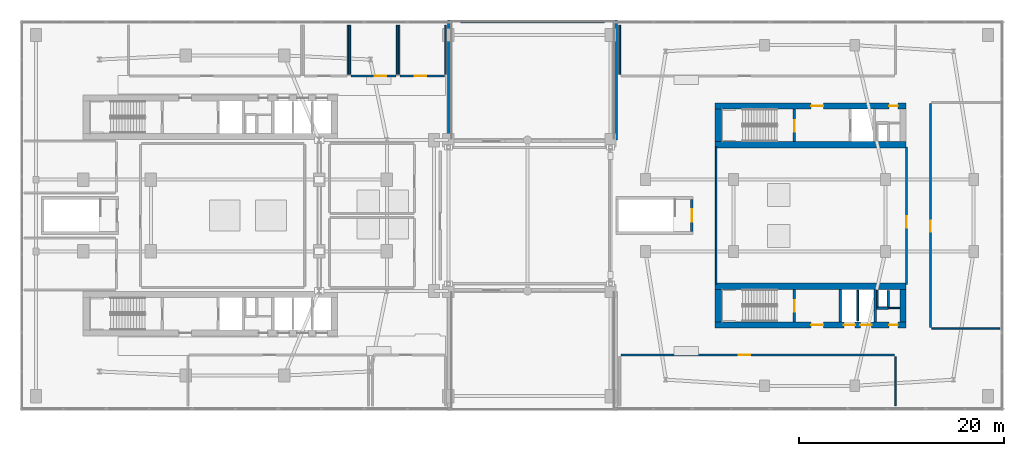
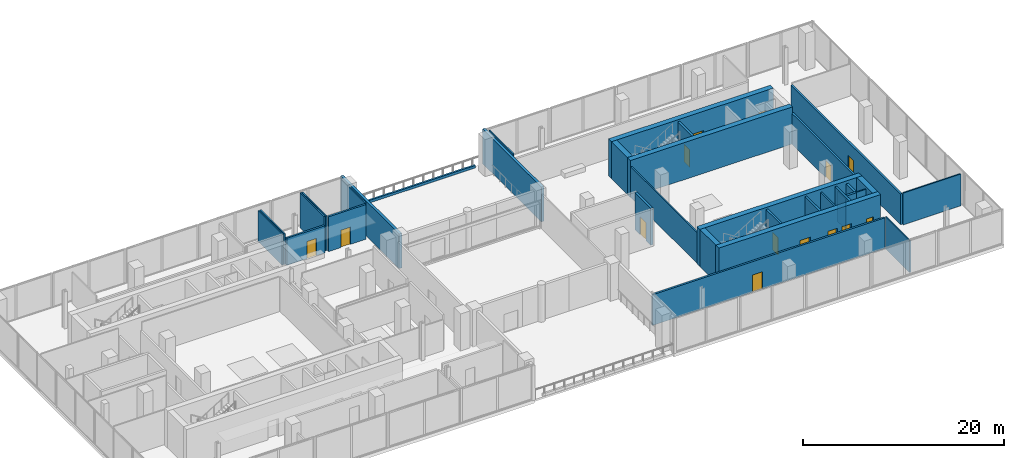
# One storey, part 16 of 21: 34 walls, 14 doors, 14 openings.
"""IFC4 building model written with IfcOpenShell, lengths in metres."""

from ifc_helpers import new_model, si_unit, derived_unit, direction, frame, frame_2d, origin, place, context, subcontext, project, spatial, rectangle, extrude, material, layer, layer_set, type_object, element, fill, save


model = new_model("IFC4")

# Units and contexts
model_context = context("Model", 3, precision=1e-05, world=origin(), true_north=direction((0.0, 1.0)))
body_context = subcontext(model_context, "Body", "Model", "MODEL_VIEW")
ifc_project = project(units=[si_unit("LENGTHUNIT", "METRE"), si_unit("AREAUNIT", "SQUARE_METRE"), si_unit("VOLUMEUNIT", "CUBIC_METRE"), si_unit("PLANEANGLEUNIT", "RADIAN"), si_unit("MASSUNIT", "GRAM", prefix="KILO"), derived_unit("THERMALTRANSMITTANCEUNIT", [(si_unit("POWERUNIT", "WATT"), 1), (si_unit("LENGTHUNIT", "METRE"), -2), (si_unit("THERMODYNAMICTEMPERATUREUNIT", "KELVIN"), -1)])], contexts=[model_context])

# Site, building, storey
site_placement = place(None, origin())
site = spatial("IfcSite", under=ifc_project, at=site_placement, CompositionType="ELEMENT")
building_placement = place(site_placement, origin())
building = spatial("IfcBuilding", under=site, at=building_placement, Name="Kivonza Crest Hotel", CompositionType="ELEMENT")
storey_placement = place(building_placement, frame((0.0, 0.0, 19.5)))
storey = spatial("IfcBuildingStorey", under=building, at=storey_placement, Name="L04", CompositionType="ELEMENT", Elevation=19.5)

# Wall, opening, door
ifc_material_1 = material(Name="Autoclaved aerated concrete blockwork", Category="masonry")
ifc_layer_1 = layer(ifc_material_1, 0.219970703125)
ifc_layer_set_1 = layer_set([ifc_layer_1], Name="Autoclaved aerated concrete blockwork")
wall_type_1 = type_object("IfcWallType", Name="WL-ACOU-220", PredefinedType="SOLIDWALL", material=ifc_layer_set_1)
wall_1_placement = place(storey_placement, frame((58.60009765625, 11.39990234375, 0.0), z_axis=(0.0, 0.0, 1.0), x_axis=(1.0, 0.0, 0.0)))
wall_1 = element("IfcWall", 1, at=wall_1_placement, inside=storey, type_object=wall_type_1, Name="L04 interior partition WA-L04-S-FIT-N", PredefinedType="SOLIDWALL", context=body_context, shape_type="SweptSolid", body=[
    extrude(rectangle(XDim=26.699951171875, YDim=0.219970703125, at=frame_2d((13.35009765625, 0.0))), origin(), (0.0, 0.0, 1.0), 3.72509765625),
])
opening_1_placement = place(wall_1_placement, frame((11.510009765625, 0.0, 0.0)))
opening_1 = element("IfcOpeningElement", 2, at=opening_1_placement, cuts=wall_1, Name="Opening DF-60M", PredefinedType="OPENING", context=body_context, shape_type="SweptSolid", body=[
    extrude(rectangle(XDim=1.10009765625, YDim=2.10009765625, at=frame_2d((0.550048828125, 1.050048828125))), frame((0.0, 0.1201171875, 0.0), z_axis=(0.0, -1.0, 0.0), x_axis=(1.0, 0.0, 0.0)), (0.0, 0.0, 1.0), 0.239990234375),
])
ifc_material_2 = material(Name="Hardwood timber oak", Category="wood")
door_type_1 = type_object("IfcDoorType", Name="DR-FD60-1100", OperationType="NOTDEFINED", PredefinedType="DOOR", material=ifc_material_2)
door_1_placement = place(opening_1_placement, frame((1.10009765625, 0.0, 0.0), z_axis=(0.0, 0.0, 1.0), x_axis=(-1.0, 0.0, 0.0)))
door_1 = element("IfcDoor", 3, at=door_1_placement, inside=storey, type_object=door_type_1, Name="L04 Companion South Wellness Studio door", OperationType="SINGLE_SWING_RIGHT", OverallHeight=2.10009765625, OverallWidth=1.10009765625, PredefinedType="DOOR", context=body_context, shape_type="SweptSolid", body=[
    extrude(rectangle(XDim=1.10009765625, YDim=2.10009765625, at=frame_2d((0.550048828125, 1.050048828125))), frame((0.0, 0.02490234375, 0.0), z_axis=(0.0, -1.0, 0.0), x_axis=(1.0, 0.0, 0.0)), (0.0, 0.0, 1.0), 0.050048828125),
])
fill(opening_1, door_1)

wall_2_placement = place(storey_placement, frame((86.449951171875, 18.300048828125, 0.0), z_axis=(0.0, 0.0, 1.0), x_axis=(0.0, 1.0, 0.0)))
wall_2 = element("IfcWall", 4, at=wall_2_placement, inside=storey, type_object=wall_type_1, Name="L04 interior partition WA-L04-RES-FIT-E", PredefinedType="SOLIDWALL", context=body_context, shape_type="SweptSolid", body=[
    extrude(rectangle(XDim=13.39990234375, YDim=0.219970703125, at=frame_2d((6.699951171875, 0.0))), origin(), (0.0, 0.0, 1.0), 3.72509765625),
])
opening_2_placement = place(wall_2_placement, frame((5.52490234375, 0.0, 0.0)))
opening_2 = element("IfcOpeningElement", 5, at=opening_2_placement, cuts=wall_2, Name="Opening DF-60M", PredefinedType="OPENING", context=body_context, shape_type="SweptSolid", body=[
    extrude(rectangle(XDim=1.10009765625, YDim=2.10009765625, at=frame_2d((0.550048828125, 1.050048828125))), frame((0.0, 0.1201171875, 0.0), z_axis=(0.0, -1.0, 0.0), x_axis=(1.0, 0.0, 0.0)), (0.0, 0.0, 1.0), 0.239990234375),
])
door_2_placement = place(opening_2_placement, origin())
door_2 = element("IfcDoor", 6, at=door_2_placement, inside=storey, type_object=door_type_1, Name="L04 Companion Fitness and Yoga Studio door", OperationType="SINGLE_SWING_LEFT", OverallHeight=2.10009765625, OverallWidth=1.10009765625, PredefinedType="DOOR", context=body_context, shape_type="SweptSolid", body=[
    extrude(rectangle(XDim=1.10009765625, YDim=2.10009765625, at=frame_2d((0.550048828125, 1.050048828125))), frame((0.0, 0.02490234375, 0.0), z_axis=(0.0, -1.0, 0.0), x_axis=(1.0, 0.0, 0.0)), (0.0, 0.0, 1.0), 0.050048828125),
])
fill(opening_2, door_2)

wall_3_placement = place(storey_placement, frame((32.300048828125, 38.60009765625, 0.0), z_axis=(0.0, 0.0, 1.0), x_axis=(1.0, 0.0, 0.0)))
wall_3 = element("IfcWall", 7, at=wall_3_placement, inside=storey, type_object=wall_type_1, Name="L04 interior partition WA-L04-MWC-S", PredefinedType="SOLIDWALL", context=body_context, shape_type="SweptSolid", body=[
    extrude(rectangle(XDim=4.39990234375, YDim=0.219970703125, at=frame_2d((2.199951171875, 0.0))), origin(), (0.0, 0.0, 1.0), 3.294921875),
])
opening_3_placement = place(wall_3_placement, frame((2.324951171875, 0.0, 0.0)))
opening_3 = element("IfcOpeningElement", 8, at=opening_3_placement, cuts=wall_3, Name="Opening DF-60M", PredefinedType="OPENING", context=body_context, shape_type="SweptSolid", body=[
    extrude(rectangle(XDim=1.10009765625, YDim=2.10009765625, at=frame_2d((0.550048828125, 1.050048828125))), frame((0.0, 0.1201171875, 0.0), z_axis=(0.0, -1.0, 0.0), x_axis=(1.0, 0.0, 0.0)), (0.0, 0.0, 1.0), 0.239990234375),
])
door_3_placement = place(opening_3_placement, origin())
door_3 = element("IfcDoor", 9, at=door_3_placement, inside=storey, type_object=door_type_1, Name="L04 L04 Male Changing and WC door", OperationType="SINGLE_SWING_LEFT", OverallHeight=2.10009765625, OverallWidth=1.10009765625, PredefinedType="DOOR", context=body_context, shape_type="SweptSolid", body=[
    extrude(rectangle(XDim=1.10009765625, YDim=2.10009765625, at=frame_2d((0.550048828125, 1.050048828125))), frame((0.0, 0.02490234375, 0.0), z_axis=(0.0, -1.0, 0.0), x_axis=(1.0, 0.0, 0.0)), (0.0, 0.0, 1.0), 0.050048828125),
])
fill(opening_3, door_3)

wall_4_placement = place(storey_placement, frame((37.10009765625, 38.60009765625, 0.0), z_axis=(0.0, 0.0, 1.0), x_axis=(1.0, 0.0, 0.0)))
wall_4 = element("IfcWall", 10, at=wall_4_placement, inside=storey, type_object=wall_type_1, Name="L04 interior partition WA-L04-FWC-S", PredefinedType="SOLIDWALL", context=body_context, shape_type="SweptSolid", body=[
    extrude(rectangle(XDim=4.2998046875, YDim=0.219970703125, at=frame_2d((2.14990234375, 0.0))), origin(), (0.0, 0.0, 1.0), 4.219970703125),
])
opening_4_placement = place(wall_4_placement, frame((1.429931640625, 0.0, 0.0)))
opening_4 = element("IfcOpeningElement", 11, at=opening_4_placement, cuts=wall_4, Name="Opening DF-60M", PredefinedType="OPENING", context=body_context, shape_type="SweptSolid", body=[
    extrude(rectangle(XDim=1.10009765625, YDim=2.10009765625, at=frame_2d((0.550048828125, 1.050048828125))), frame((0.0, 0.1201171875, 0.0), z_axis=(0.0, -1.0, 0.0), x_axis=(1.0, 0.0, 0.0)), (0.0, 0.0, 1.0), 0.239990234375),
])
door_4_placement = place(opening_4_placement, origin())
door_4 = element("IfcDoor", 12, at=door_4_placement, inside=storey, type_object=door_type_1, Name="L04 L04 Female Changing and WC door", OperationType="SINGLE_SWING_RIGHT", OverallHeight=2.10009765625, OverallWidth=1.10009765625, PredefinedType="DOOR", context=body_context, shape_type="SweptSolid", body=[
    extrude(rectangle(XDim=1.10009765625, YDim=2.10009765625, at=frame_2d((0.550048828125, 1.050048828125))), frame((0.0, 0.02490234375, 0.0), z_axis=(0.0, -1.0, 0.0), x_axis=(1.0, 0.0, 0.0)), (0.0, 0.0, 1.0), 0.050048828125),
])
fill(opening_4, door_4)

wall_5_placement = place(storey_placement, frame((88.800048828125, 14.10009765625, 0.0), z_axis=(0.0, 0.0, 1.0), x_axis=(0.0, 1.0, 0.0)))
wall_5 = element("IfcWall", 13, at=wall_5_placement, inside=storey, type_object=wall_type_1, Name="L04 interior partition WA-L04-E-SPA4S-W", PredefinedType="SOLIDWALL", context=body_context, shape_type="SweptSolid", body=[
    extrude(rectangle(XDim=21.7998046875, YDim=0.219970703125, at=frame_2d((10.89990234375, 0.0))), origin(), (0.0, 0.0, 1.0), 3.72509765625),
])
opening_5_placement = place(wall_5_placement, frame((9.304931640625, 0.0, 0.0)))
opening_5 = element("IfcOpeningElement", 14, at=opening_5_placement, cuts=wall_5, Name="Opening DF-60M", PredefinedType="OPENING", context=body_context, shape_type="SweptSolid", body=[
    extrude(rectangle(XDim=1.10009765625, YDim=2.10009765625, at=frame_2d((0.550048828125, 1.050048828125))), frame((0.0, 0.1201171875, 0.0), z_axis=(0.0, -1.0, 0.0), x_axis=(1.0, 0.0, 0.0)), (0.0, 0.0, 1.0), 0.239990234375),
])
door_5_placement = place(opening_5_placement, frame((1.10009765625, 0.0, 0.0), z_axis=(0.0, 0.0, 1.0), x_axis=(-1.0, 0.0, 0.0)))
door_5 = element("IfcDoor", 15, at=door_5_placement, inside=storey, type_object=door_type_1, Name="L04 East Wellness Stretch Studio door", OperationType="SINGLE_SWING_RIGHT", OverallHeight=2.10009765625, OverallWidth=1.10009765625, PredefinedType="DOOR", context=body_context, shape_type="SweptSolid", body=[
    extrude(rectangle(XDim=1.10009765625, YDim=2.10009765625, at=frame_2d((0.550048828125, 1.050048828125))), frame((0.0, 0.02490234375, 0.0), z_axis=(0.0, -1.0, 0.0), x_axis=(1.0, 0.0, 0.0)), (0.0, 0.0, 1.0), 0.050048828125),
])
fill(opening_5, door_5)

# Wall
ifc_material_3 = material(Name="Concrete C60/75", Category="concrete")
ifc_layer_2 = layer(ifc_material_3, 0.60009765625)
ifc_layer_set_2 = layer_set([ifc_layer_2], Name="Concrete C60/75")
wall_type_2 = type_object("IfcWallType", Name="WL-CORE-600", PredefinedType="SHEAR", material=ifc_layer_set_2)
wall_6_placement = place(storey_placement, frame((67.800048828125, 31.89990234375, 0.0), z_axis=(0.0, 0.0, 1.0), x_axis=(1.0, 0.0, 0.0)))
element("IfcWall", 16, at=wall_6_placement, inside=storey, type_object=wall_type_2, Name="Core wall T2-N South L04", PredefinedType="SHEAR", context=body_context, shape_type="SweptSolid", body=[
    extrude(rectangle(XDim=18.599853515625, YDim=0.60009765625, at=frame_2d((9.2998046875, 0.0))), origin(), (0.0, 0.0, 1.0), 4.5),
])

# Wall, openings, doors
wall_7_placement = place(storey_placement, frame((67.800048828125, 35.659912109375, 0.0), z_axis=(0.0, 0.0, 1.0), x_axis=(1.0, 0.0, 0.0)))
wall_7 = element("IfcWall", 17, at=wall_7_placement, inside=storey, type_object=wall_type_2, Name="Core wall T2-N North L04", PredefinedType="SHEAR", context=body_context, shape_type="SweptSolid", body=[
    extrude(rectangle(XDim=18.599853515625, YDim=0.60009765625, at=frame_2d((9.2998046875, 0.0))), origin(), (0.0, 0.0, 1.0), 4.5),
])
opening_6_placement = place(wall_7_placement, frame((9.35009765625, 0.0, 0.0)))
opening_6 = element("IfcOpeningElement", 18, at=opening_6_placement, cuts=wall_7, Name="Opening DF-60", PredefinedType="OPENING", context=body_context, shape_type="SweptSolid", body=[
    extrude(rectangle(XDim=1.199951171875, YDim=2.14990234375, at=frame_2d((0.60009765625, 1.074951171875))), frame((0.0, 0.31005859375, 0.0), z_axis=(0.0, -1.0, 0.0), x_axis=(1.0, 0.0, 0.0)), (0.0, 0.0, 1.0), 0.6201171875),
])
opening_7_placement = place(wall_7_placement, frame((16.949951171875, 0.0, 0.0)))
opening_7 = element("IfcOpeningElement", 19, at=opening_7_placement, cuts=wall_7, Name="Opening DF-60R", PredefinedType="OPENING", context=body_context, shape_type="SweptSolid", body=[
    extrude(rectangle(XDim=0.85009765625, YDim=2.10009765625, at=frame_2d((0.425048828125, 1.050048828125))), frame((0.0, 0.31005859375, 0.0), z_axis=(0.0, -1.0, 0.0), x_axis=(1.0, 0.0, 0.0)), (0.0, 0.0, 1.0), 0.6201171875),
])
door_type_2 = type_object("IfcDoorType", Name="DR-FD60-1200", OperationType="NOTDEFINED", PredefinedType="DOOR", material=ifc_material_2)
door_6_placement = place(opening_6_placement, origin())
door_6 = element("IfcDoor", 20, at=door_6_placement, inside=storey, type_object=door_type_2, Name="L04 T2-N firefighting lobby fire door", OperationType="SINGLE_SWING_RIGHT", OverallHeight=2.14990234375, OverallWidth=1.199951171875, PredefinedType="DOOR", context=body_context, shape_type="SweptSolid", body=[
    extrude(rectangle(XDim=1.199951171875, YDim=2.14990234375, at=frame_2d((0.60009765625, 1.074951171875))), frame((0.0, 0.02490234375, 0.0), z_axis=(0.0, -1.0, 0.0), x_axis=(1.0, 0.0, 0.0)), (0.0, 0.0, 1.0), 0.050048828125),
])
fill(opening_6, door_6)
door_type_3 = type_object("IfcDoorType", Name="DR-FD60-850", OperationType="NOTDEFINED", PredefinedType="DOOR", material=ifc_material_2)
door_7_placement = place(opening_7_placement, origin())
door_7 = element("IfcDoor", 21, at=door_7_placement, inside=storey, type_object=door_type_3, Name="L04 T2-N core room door", OperationType="SINGLE_SWING_RIGHT", OverallHeight=2.10009765625, OverallWidth=0.85009765625, PredefinedType="DOOR", context=body_context, shape_type="SweptSolid", body=[
    extrude(rectangle(XDim=0.85009765625, YDim=2.10009765625, at=frame_2d((0.425048828125, 1.050048828125))), frame((0.0, 0.02490234375, 0.0), z_axis=(0.0, -1.0, 0.0), x_axis=(1.0, 0.0, 0.0)), (0.0, 0.0, 1.0), 0.050048828125),
])
fill(opening_7, door_7)

# Wall
wall_8_placement = place(storey_placement, frame((68.10009765625, 32.199951171875, 0.0), z_axis=(0.0, 0.0, 1.0), x_axis=(0.0, 1.0, 0.0)))
element("IfcWall", 22, at=wall_8_placement, inside=storey, type_object=wall_type_2, Name="Core wall T2-N West L04", PredefinedType="SHEAR", context=body_context, shape_type="SweptSolid", body=[
    extrude(rectangle(XDim=3.16015625, YDim=0.60009765625, at=frame_2d((1.580078125, 0.0))), origin(), (0.0, 0.0, 1.0), 4.5),
])

# Wall, openings, doors
wall_9_placement = place(storey_placement, frame((67.800048828125, 14.340087890625, 0.0), z_axis=(0.0, 0.0, 1.0), x_axis=(1.0, 0.0, 0.0)))
wall_9 = element("IfcWall", 23, at=wall_9_placement, inside=storey, type_object=wall_type_2, Name="Core wall T2-S South L04", PredefinedType="SHEAR", context=body_context, shape_type="SweptSolid", body=[
    extrude(rectangle(XDim=18.599853515625, YDim=0.60009765625, at=frame_2d((9.2998046875, 0.0))), origin(), (0.0, 0.0, 1.0), 4.5),
])
opening_8_placement = place(wall_9_placement, frame((9.35009765625, 0.0, 0.0)))
opening_8 = element("IfcOpeningElement", 24, at=opening_8_placement, cuts=wall_9, Name="Opening DF-60", PredefinedType="OPENING", context=body_context, shape_type="SweptSolid", body=[
    extrude(rectangle(XDim=1.199951171875, YDim=2.14990234375, at=frame_2d((0.60009765625, 1.074951171875))), frame((0.0, 0.31005859375, 0.0), z_axis=(0.0, -1.0, 0.0), x_axis=(1.0, 0.0, 0.0)), (0.0, 0.0, 1.0), 0.6201171875),
])
opening_9_placement = place(wall_9_placement, frame((16.949951171875, 0.0, 0.0)))
opening_9 = element("IfcOpeningElement", 25, at=opening_9_placement, cuts=wall_9, Name="Opening DF-60R", PredefinedType="OPENING", context=body_context, shape_type="SweptSolid", body=[
    extrude(rectangle(XDim=0.85009765625, YDim=2.10009765625, at=frame_2d((0.425048828125, 1.050048828125))), frame((0.0, 0.31005859375, 0.0), z_axis=(0.0, -1.0, 0.0), x_axis=(1.0, 0.0, 0.0)), (0.0, 0.0, 1.0), 0.6201171875),
])
opening_10_placement = place(wall_9_placement, frame((12.550048828125, 0.0, 0.0)))
opening_10 = element("IfcOpeningElement", 26, at=opening_10_placement, cuts=wall_9, Name="Opening LD-120", PredefinedType="OPENING", context=body_context, shape_type="SweptSolid", body=[
    extrude(rectangle(XDim=1.10009765625, YDim=2.14990234375, at=frame_2d((0.550048828125, 1.074951171875))), frame((0.0, 0.31005859375, 0.0), z_axis=(0.0, -1.0, 0.0), x_axis=(1.0, 0.0, 0.0)), (0.0, 0.0, 1.0), 0.6201171875),
])
opening_11_placement = place(wall_9_placement, frame((14.14990234375, 0.0, 0.0)))
opening_11 = element("IfcOpeningElement", 27, at=opening_11_placement, cuts=wall_9, Name="Opening LD-120", PredefinedType="OPENING", context=body_context, shape_type="SweptSolid", body=[
    extrude(rectangle(XDim=1.10009765625, YDim=2.14990234375, at=frame_2d((0.550048828125, 1.074951171875))), frame((0.0, 0.31005859375, 0.0), z_axis=(0.0, -1.0, 0.0), x_axis=(1.0, 0.0, 0.0)), (0.0, 0.0, 1.0), 0.6201171875),
])
door_8_placement = place(opening_8_placement, frame((1.199951171875, 0.0, 0.0), z_axis=(0.0, 0.0, 1.0), x_axis=(-1.0, 0.0, 0.0)))
door_8 = element("IfcDoor", 28, at=door_8_placement, inside=storey, type_object=door_type_2, Name="L04 T2-S firefighting lobby fire door", OperationType="SINGLE_SWING_LEFT", OverallHeight=2.14990234375, OverallWidth=1.199951171875, PredefinedType="DOOR", context=body_context, shape_type="SweptSolid", body=[
    extrude(rectangle(XDim=1.199951171875, YDim=2.14990234375, at=frame_2d((0.60009765625, 1.074951171875))), frame((0.0, 0.02490234375, 0.0), z_axis=(0.0, -1.0, 0.0), x_axis=(1.0, 0.0, 0.0)), (0.0, 0.0, 1.0), 0.050048828125),
])
fill(opening_8, door_8)
door_9_placement = place(opening_9_placement, frame((0.85009765625, 0.0, 0.0), z_axis=(0.0, 0.0, 1.0), x_axis=(-1.0, 0.0, 0.0)))
door_9 = element("IfcDoor", 29, at=door_9_placement, inside=storey, type_object=door_type_3, Name="L04 T2-S core room door", OperationType="SINGLE_SWING_RIGHT", OverallHeight=2.10009765625, OverallWidth=0.85009765625, PredefinedType="DOOR", context=body_context, shape_type="SweptSolid", body=[
    extrude(rectangle(XDim=0.85009765625, YDim=2.10009765625, at=frame_2d((0.425048828125, 1.050048828125))), frame((0.0, 0.02490234375, 0.0), z_axis=(0.0, -1.0, 0.0), x_axis=(1.0, 0.0, 0.0)), (0.0, 0.0, 1.0), 0.050048828125),
])
fill(opening_9, door_9)
ifc_material_4 = material(Name="Stainless steel", Category="steel")
door_type_4 = type_object("IfcDoorType", Name="DR-LD120-1100", OperationType="NOTDEFINED", PredefinedType="DOOR", material=ifc_material_4)
door_10_placement = place(opening_10_placement, frame((1.10009765625, 0.0, 0.0), z_axis=(0.0, 0.0, 1.0), x_axis=(-1.0, 0.0, 0.0)))
door_10 = element("IfcDoor", 30, at=door_10_placement, inside=storey, type_object=door_type_4, Name="L04 PL-T2-1 passenger lift sliding landing door", OperationType="DOUBLE_DOOR_SLIDING", OverallHeight=2.14990234375, OverallWidth=1.10009765625, PredefinedType="DOOR", context=body_context, shape_type="SweptSolid", body=[
    extrude(rectangle(XDim=1.10009765625, YDim=2.14990234375, at=frame_2d((0.550048828125, 1.074951171875))), frame((0.0, 0.02490234375, 0.0), z_axis=(0.0, -1.0, 0.0), x_axis=(1.0, 0.0, 0.0)), (0.0, 0.0, 1.0), 0.050048828125),
])
fill(opening_10, door_10)
door_11_placement = place(opening_11_placement, frame((1.10009765625, 0.0, 0.0), z_axis=(0.0, 0.0, 1.0), x_axis=(-1.0, 0.0, 0.0)))
door_11 = element("IfcDoor", 31, at=door_11_placement, inside=storey, type_object=door_type_4, Name="L04 PL-T2-2 passenger lift sliding landing door", OperationType="DOUBLE_DOOR_SLIDING", OverallHeight=2.14990234375, OverallWidth=1.10009765625, PredefinedType="DOOR", context=body_context, shape_type="SweptSolid", body=[
    extrude(rectangle(XDim=1.10009765625, YDim=2.14990234375, at=frame_2d((0.550048828125, 1.074951171875))), frame((0.0, 0.02490234375, 0.0), z_axis=(0.0, -1.0, 0.0), x_axis=(1.0, 0.0, 0.0)), (0.0, 0.0, 1.0), 0.050048828125),
])
fill(opening_11, door_11)

# Walls
wall_10_placement = place(storey_placement, frame((67.800048828125, 18.10009765625, 0.0), z_axis=(0.0, 0.0, 1.0), x_axis=(1.0, 0.0, 0.0)))
element("IfcWall", 32, at=wall_10_placement, inside=storey, type_object=wall_type_2, Name="Core wall T2-S North L04", PredefinedType="SHEAR", context=body_context, shape_type="SweptSolid", body=[
    extrude(rectangle(XDim=18.599853515625, YDim=0.60009765625, at=frame_2d((9.2998046875, 0.0))), origin(), (0.0, 0.0, 1.0), 4.5),
])
for number, where, z_axis, x_axis, name in (
    (33, (68.10009765625, 14.639892578125, 0.0), (0.0, 0.0, 1.0), (0.0, 1.0, 0.0), "Core wall T2-S West L04"),
    (34, (86.10009765625, 14.639892578125, 0.0), (0.0, 0.0, 1.0), (0.0, 1.0, 0.0), "Core wall T2-S East L04"),
):
    element("IfcWall", number, at=place(storey_placement, frame(where, z_axis=z_axis, x_axis=x_axis)), inside=storey, type_object=wall_type_2, Name=name, PredefinedType="SHEAR", context=body_context, shape_type="SweptSolid", body=[
        extrude(rectangle(XDim=3.16015625, YDim=0.60009765625, at=frame_2d((1.580078125, 0.0))), origin(), (0.0, 0.0, 1.0), 4.5),
    ])
ifc_material_5 = material(Name="Precast concrete C40/50", Category="concrete")
ifc_layer_3 = layer(ifc_material_5, 0.300048828125)
ifc_layer_set_3 = layer_set([ifc_layer_3], Name="Precast concrete C40/50")
wall_type_3 = type_object("IfcWallType", Name="WL-EXT-300", PredefinedType="STANDARD", material=ifc_layer_set_3)
wall_11_placement = place(storey_placement, frame((58.14990234375, 44.054931640625, 0.0), z_axis=(0.0, 0.0, 1.0), x_axis=(0.0, -1.0, 0.0)))
element("IfcWall", 35, at=wall_11_placement, inside=storey, type_object=wall_type_3, Name="L04 POD exterior insulated wall 26", PredefinedType="STANDARD", context=body_context, shape_type="SweptSolid", body=[
    extrude(rectangle(XDim=11.679931640625, YDim=0.300048828125, at=frame_2d((5.83984375, 0.0))), origin(), (0.0, 0.0, 1.0), 4.219970703125),
])
wall_12_placement = place(storey_placement, frame((41.85009765625, 32.409912109375, 0.0), z_axis=(0.0, 0.0, 1.0), x_axis=(0.0, 1.0, 0.0)))
element("IfcWall", 36, at=wall_12_placement, inside=storey, type_object=wall_type_3, Name="L04 POD exterior insulated wall 30", PredefinedType="STANDARD", context=body_context, shape_type="SweptSolid", body=[
    extrude(rectangle(XDim=11.64501953125, YDim=0.300048828125, at=frame_2d((5.822509765625, 0.0))), origin(), (0.0, 0.0, 1.0), 4.219970703125),
])
ifc_material_6 = material(Name="Concrete blockwork fire-compartment wall", Category="masonry")
ifc_layer_4 = layer(ifc_material_6, 0.25)
ifc_layer_set_4 = layer_set([ifc_layer_4], Name="Concrete blockwork fire-compartment wall")
wall_type_4 = type_object("IfcWallType", Name="WL-FIRE-250", PredefinedType="SOLIDWALL", material=ifc_layer_set_4)
wall_13_placement = place(storey_placement, frame((84.679931640625, 16.080078125, 0.0), z_axis=(0.0, 0.0, 1.0), x_axis=(0.0, 1.0, 0.0)))
element("IfcWall", 37, at=wall_13_placement, inside=storey, type_object=wall_type_4, Name="L04 interior partition WA-L04-T2-S-MEPR-E", PredefinedType="SOLIDWALL", context=body_context, shape_type="SweptSolid", body=[
    extrude(rectangle(XDim=1.619873046875, YDim=0.25, at=frame_2d((0.81005859375, 0.0))), origin(), (0.0, 0.0, 1.0), 4.219970703125),
])
wall_14_placement = place(storey_placement, frame((83.550048828125, 15.97998046875, 0.0), z_axis=(0.0, 0.0, 1.0), x_axis=(1.0, 0.0, 0.0)))
element("IfcWall", 38, at=wall_14_placement, inside=storey, type_object=wall_type_4, Name="L04 interior partition WA-L04-T2-S-MEPR-H", PredefinedType="SOLIDWALL", context=body_context, shape_type="SweptSolid", body=[
    extrude(rectangle(XDim=1.1298828125, YDim=0.25, at=frame_2d((0.56494140625, 0.0))), origin(), (0.0, 0.0, 1.0), 4.219970703125),
])
ifc_layer_5 = layer(ifc_material_5, 0.199951171875)
ifc_layer_set_5 = layer_set([ifc_layer_5], Name="Precast concrete C40/50")
wall_type_5 = type_object("IfcWallType", Name="WL-PARAPET-200", PredefinedType="PARAPET", material=ifc_layer_set_5)
wall_15_placement = place(storey_placement, frame((43.0, 43.85009765625, 0.0), z_axis=(0.0, 0.0, 1.0), x_axis=(1.0, 0.0, 0.0)))
element("IfcWall", 39, at=wall_15_placement, inside=storey, type_object=wall_type_5, Name="L04 podium terrace edge parapet kerb 2", PredefinedType="PARAPET", context=body_context, shape_type="SweptSolid", body=[
    extrude(rectangle(XDim=14.0, YDim=0.199951171875, at=frame_2d((7.0, 0.0))), origin(), (0.0, 0.0, 1.0), 0.320068359375),
])
ifc_material_7 = material(Name="Metal-stud gypsum board partition", Category="gypsum")
ifc_layer_6 = layer(ifc_material_7, 0.125)
ifc_layer_set_6 = layer_set([ifc_layer_6], Name="Metal-stud gypsum board partition")
wall_type_6 = type_object("IfcWallType", Name="WL-PART-125", PredefinedType="PARTITIONING", material=ifc_layer_set_6)
wall_16_placement = place(storey_placement, frame((84.679931640625, 15.97998046875, 0.0), z_axis=(0.0, 0.0, 1.0), x_axis=(1.0, 0.0, 0.0)))
element("IfcWall", 40, at=wall_16_placement, inside=storey, type_object=wall_type_6, Name="L04 interior partition WP-L04-T2-S-T2H", PredefinedType="PARTITIONING", context=body_context, shape_type="SweptSolid", body=[
    extrude(rectangle(XDim=1.1201171875, YDim=0.125, at=frame_2d((0.56005859375, 0.0))), origin(), (0.0, 0.0, 1.0), 4.219970703125),
])
ifc_material_8 = material(Name="Twin-stud acoustic gypsum board partition", Category="gypsum")
ifc_layer_7 = layer(ifc_material_8, 0.14990234375)
ifc_layer_set_7 = layer_set([ifc_layer_7], Name="Twin-stud acoustic gypsum board partition")
wall_type_7 = type_object("IfcWallType", Name="WL-PART-150", PredefinedType="PARTITIONING", material=ifc_layer_set_7)
wall_17_placement = place(storey_placement, frame((83.6298828125, 16.080078125, 0.0), z_axis=(0.0, 0.0, 1.0), x_axis=(0.0, 1.0, 0.0)))
element("IfcWall", 41, at=wall_17_placement, inside=storey, type_object=wall_type_7, Name="L04 interior partition WA-L04-T2-S-MEPR-W", PredefinedType="PARTITIONING", context=body_context, shape_type="SweptSolid", body=[
    extrude(rectangle(XDim=1.619873046875, YDim=0.14990234375, at=frame_2d((0.81005859375, 0.0))), origin(), (0.0, 0.0, 1.0), 3.72509765625),
])
wall_18_placement = place(storey_placement, frame((81.699951171875, 14.739990234375, 0.0), z_axis=(0.0, 0.0, 1.0), x_axis=(0.0, 1.0, 0.0)))
element("IfcWall", 42, at=wall_18_placement, inside=storey, type_object=wall_type_7, Name="L04 interior partition WP-L04-T2-S-BSH-1", PredefinedType="PARTITIONING", context=body_context, shape_type="SweptSolid", body=[
    extrude(rectangle(XDim=2.9599609375, YDim=0.14990234375, at=frame_2d((1.47998046875, 0.0))), origin(), (0.0, 0.0, 1.0), 4.219970703125),
])
wall_19_placement = place(storey_placement, frame((85.39990234375, 6.449951171875, 0.0), z_axis=(0.0, 0.0, 1.0), x_axis=(0.0, 1.0, 0.0)))
element("IfcWall", 43, at=wall_19_placement, inside=storey, type_object=wall_type_7, Name="L04 interior partition WP-L04-S-FIT-BE", PredefinedType="PARTITIONING", context=body_context, shape_type="SweptSolid", body=[
    extrude(rectangle(XDim=4.800048828125, YDim=0.14990234375, at=frame_2d((2.39990234375, 0.0))), origin(), (0.0, 0.0, 1.0), 3.864990234375),
])
wall_20_placement = place(storey_placement, frame((67.89990234375, 18.300048828125, 0.0), z_axis=(0.0, 0.0, 1.0), x_axis=(0.0, 1.0, 0.0)))
element("IfcWall", 44, at=wall_20_placement, inside=storey, type_object=wall_type_7, Name="L04 interior partition WP-L04-RES-FIT-BW", PredefinedType="PARTITIONING", context=body_context, shape_type="SweptSolid", body=[
    extrude(rectangle(XDim=13.39990234375, YDim=0.14990234375, at=frame_2d((6.699951171875, 0.0))), origin(), (0.0, 0.0, 1.0), 3.72509765625),
])
for number, where, z_axis, x_axis, name in (
    (45, (32.0, 38.75, 0.0), (0.0, 0.0, 1.0), (0.0, 1.0, 0.0), "L04 interior partition WP-L04-AWC-BE"),
    (46, (32.199951171875, 38.75, 0.0), (0.0, 0.0, 1.0), (0.0, 1.0, 0.0), "L04 interior partition WP-L04-MWC-BW"),
):
    element("IfcWall", number, at=place(storey_placement, frame(where, z_axis=z_axis, x_axis=x_axis)), inside=storey, type_object=wall_type_7, Name=name, PredefinedType="PARTITIONING", context=body_context, shape_type="SweptSolid", body=[
        extrude(rectangle(XDim=4.800048828125, YDim=0.14990234375, at=frame_2d((2.39990234375, 0.0))), origin(), (0.0, 0.0, 1.0), 3.7451171875),
    ])
for number, where, z_axis, x_axis, name in (
    (47, (36.800048828125, 38.75, 0.0), (0.0, 0.0, 1.0), (0.0, 1.0, 0.0), "L04 interior partition WP-L04-MWC-BE"),
    (48, (37.0, 38.75, 0.0), (0.0, 0.0, 1.0), (0.0, 1.0, 0.0), "L04 interior partition WP-L04-FWC-BW"),
    (49, (41.5, 38.75, 0.0), (0.0, 0.0, 1.0), (0.0, 1.0, 0.0), "L04 interior partition WP-L04-FWC-BE"),
    (50, (58.5, 38.75, 0.0), (0.0, 0.0, 1.0), (0.0, 1.0, 0.0), "L04 interior partition WP-L04-N-YOGA-BW"),
):
    element("IfcWall", number, at=place(storey_placement, frame(where, z_axis=z_axis, x_axis=x_axis)), inside=storey, type_object=wall_type_7, Name=name, PredefinedType="PARTITIONING", context=body_context, shape_type="SweptSolid", body=[
        extrude(rectangle(XDim=4.800048828125, YDim=0.14990234375, at=frame_2d((2.39990234375, 0.0))), origin(), (0.0, 0.0, 1.0), 4.219970703125),
    ])
wall_21_placement = place(storey_placement, frame((88.89990234375, 14.0, 0.0), z_axis=(0.0, 0.0, 1.0), x_axis=(1.0, 0.0, 0.0)))
element("IfcWall", 51, at=wall_21_placement, inside=storey, type_object=wall_type_7, Name="L04 interior partition WP-L04-E-SPA4S-BS", PredefinedType="PARTITIONING", context=body_context, shape_type="SweptSolid", body=[
    extrude(rectangle(XDim=6.650146484375, YDim=0.14990234375, at=frame_2d((3.3251953125, 0.0))), origin(), (0.0, 0.0, 1.0), 3.864990234375),
])

# Wall, opening, door
ifc_material_9 = material(Name="Concrete C50/60", Category="concrete")
ifc_layer_8 = layer(ifc_material_9, 0.25)
ifc_layer_set_8 = layer_set([ifc_layer_8], Name="Concrete C50/60")
wall_type_8 = type_object("IfcWallType", Name="WL-SHAFT-250", PredefinedType="STANDARD", material=ifc_layer_set_8)
wall_22_placement = place(storey_placement, frame((75.52490234375, 32.199951171875, 0.0), z_axis=(0.0, 0.0, 1.0), x_axis=(0.0, 1.0, 0.0)))
wall_22 = element("IfcWall", 52, at=wall_22_placement, inside=storey, type_object=wall_type_8, Name="Core shaft wall T2-N STAIR L04", PredefinedType="STANDARD", context=body_context, shape_type="SweptSolid", body=[
    extrude(rectangle(XDim=3.16015625, YDim=0.25, at=frame_2d((1.580078125, 0.0))), origin(), (0.0, 0.0, 1.0), 4.25),
])
opening_12_placement = place(wall_22_placement, frame((0.97998046875, 0.0, 0.0)))
opening_12 = element("IfcOpeningElement", 53, at=opening_12_placement, cuts=wall_22, Name="Opening DF-120", PredefinedType="OPENING", context=body_context, shape_type="SweptSolid", body=[
    extrude(rectangle(XDim=1.10009765625, YDim=2.14990234375, at=frame_2d((0.550048828125, 1.074951171875))), frame((0.0, 0.135009765625, 0.0), z_axis=(0.0, -1.0, 0.0), x_axis=(1.0, 0.0, 0.0)), (0.0, 0.0, 1.0), 0.27001953125),
])
ifc_material_10 = material(Name="Galvanised steel", Category="steel")
door_type_5 = type_object("IfcDoorType", Name="DR-FD120-1100", OperationType="NOTDEFINED", PredefinedType="DOOR", material=ifc_material_10)
door_12_placement = place(opening_12_placement, frame((1.10009765625, 0.0, 0.0), z_axis=(0.0, 0.0, 1.0), x_axis=(-1.0, 0.0, 0.0)))
door_12 = element("IfcDoor", 54, at=door_12_placement, inside=storey, type_object=door_type_5, Name="L04 T2-N stair fire door", OperationType="SINGLE_SWING_LEFT", OverallHeight=2.14990234375, OverallWidth=1.10009765625, PredefinedType="DOOR", context=body_context, shape_type="SweptSolid", body=[
    extrude(rectangle(XDim=1.10009765625, YDim=2.14990234375, at=frame_2d((0.550048828125, 1.074951171875))), frame((0.0, 0.02490234375, 0.0), z_axis=(0.0, -1.0, 0.0), x_axis=(1.0, 0.0, 0.0)), (0.0, 0.0, 1.0), 0.050048828125),
])
fill(opening_12, door_12)

wall_23_placement = place(storey_placement, frame((75.52490234375, 14.639892578125, 0.0), z_axis=(0.0, 0.0, 1.0), x_axis=(0.0, 1.0, 0.0)))
wall_23 = element("IfcWall", 55, at=wall_23_placement, inside=storey, type_object=wall_type_8, Name="Core shaft wall T2-S STAIR L04", PredefinedType="STANDARD", context=body_context, shape_type="SweptSolid", body=[
    extrude(rectangle(XDim=3.16015625, YDim=0.25, at=frame_2d((1.580078125, 0.0))), origin(), (0.0, 0.0, 1.0), 4.25),
])
opening_13_placement = place(wall_23_placement, frame((0.97998046875, 0.0, 0.0)))
opening_13 = element("IfcOpeningElement", 56, at=opening_13_placement, cuts=wall_23, Name="Opening DF-120", PredefinedType="OPENING", context=body_context, shape_type="SweptSolid", body=[
    extrude(rectangle(XDim=1.10009765625, YDim=2.14990234375, at=frame_2d((0.550048828125, 1.074951171875))), frame((0.0, 0.135009765625, 0.0), z_axis=(0.0, -1.0, 0.0), x_axis=(1.0, 0.0, 0.0)), (0.0, 0.0, 1.0), 0.27001953125),
])
door_13_placement = place(opening_13_placement, frame((1.10009765625, 0.0, 0.0), z_axis=(0.0, 0.0, 1.0), x_axis=(-1.0, 0.0, 0.0)))
door_13 = element("IfcDoor", 57, at=door_13_placement, inside=storey, type_object=door_type_5, Name="L04 T2-S stair fire door", OperationType="SINGLE_SWING_RIGHT", OverallHeight=2.14990234375, OverallWidth=1.10009765625, PredefinedType="DOOR", context=body_context, shape_type="SweptSolid", body=[
    extrude(rectangle(XDim=1.10009765625, YDim=2.14990234375, at=frame_2d((0.550048828125, 1.074951171875))), frame((0.0, 0.02490234375, 0.0), z_axis=(0.0, -1.0, 0.0), x_axis=(1.0, 0.0, 0.0)), (0.0, 0.0, 1.0), 0.050048828125),
])
fill(opening_13, door_13)

# Walls
for number, where, z_axis, x_axis, name in (
    (58, (79.97509765625, 14.639892578125, 0.0), (0.0, 0.0, 1.0), (0.0, 1.0, 0.0), "Core shaft wall T2-S BANK-W L04"),
    (59, (83.425048828125, 14.639892578125, 0.0), (0.0, 0.0, 1.0), (0.0, 1.0, 0.0), "Core shaft wall T2-S BANK-E L04"),
):
    element("IfcWall", number, at=place(storey_placement, frame(where, z_axis=z_axis, x_axis=x_axis)), inside=storey, type_object=wall_type_8, Name=name, PredefinedType="STANDARD", context=body_context, shape_type="SweptSolid", body=[
        extrude(rectangle(XDim=3.16015625, YDim=0.25, at=frame_2d((1.580078125, 0.0))), origin(), (0.0, 0.0, 1.0), 4.25),
    ])

# Wall, opening, door
wall_24_placement = place(storey_placement, frame((65.52490234375, 23.419921875, 0.0), z_axis=(0.0, 0.0, 1.0), x_axis=(0.0, 1.0, 0.0)))
wall_24 = element("IfcWall", 60, at=wall_24_placement, inside=storey, type_object=wall_type_8, Name="Podium stair enclosure wall ST-POD-E E L04", PredefinedType="STANDARD", context=body_context, shape_type="SweptSolid", body=[
    extrude(rectangle(XDim=3.16015625, YDim=0.25, at=frame_2d((1.580078125, 0.0))), origin(), (0.0, 0.0, 1.0), 4.5),
])
opening_14_placement = place(wall_24_placement, frame((0.97998046875, 0.0, 0.0)))
opening_14 = element("IfcOpeningElement", 61, at=opening_14_placement, cuts=wall_24, Name="Opening DF-120W", PredefinedType="OPENING", context=body_context, shape_type="SweptSolid", body=[
    extrude(rectangle(XDim=1.199951171875, YDim=2.14990234375, at=frame_2d((0.60009765625, 1.074951171875))), frame((0.0, 0.135009765625, 0.0), z_axis=(0.0, -1.0, 0.0), x_axis=(1.0, 0.0, 0.0)), (0.0, 0.0, 1.0), 0.27001953125),
])
door_type_6 = type_object("IfcDoorType", Name="DR-FD120-1200", OperationType="NOTDEFINED", PredefinedType="DOOR", material=ifc_material_10)
door_14_placement = place(opening_14_placement, frame((1.199951171875, 0.0, 0.0), z_axis=(0.0, 0.0, 1.0), x_axis=(-1.0, 0.0, 0.0)))
door_14 = element("IfcDoor", 62, at=door_14_placement, inside=storey, type_object=door_type_6, Name="L04 ST-POD-E podium stair fire door", OperationType="SINGLE_SWING_LEFT", OverallHeight=2.14990234375, OverallWidth=1.199951171875, PredefinedType="DOOR", context=body_context, shape_type="SweptSolid", body=[
    extrude(rectangle(XDim=1.199951171875, YDim=2.14990234375, at=frame_2d((0.60009765625, 1.074951171875))), frame((0.0, 0.02490234375, 0.0), z_axis=(0.0, -1.0, 0.0), x_axis=(1.0, 0.0, 0.0)), (0.0, 0.0, 1.0), 0.050048828125),
])
fill(opening_14, door_14)

save(model, "model.ifc")
